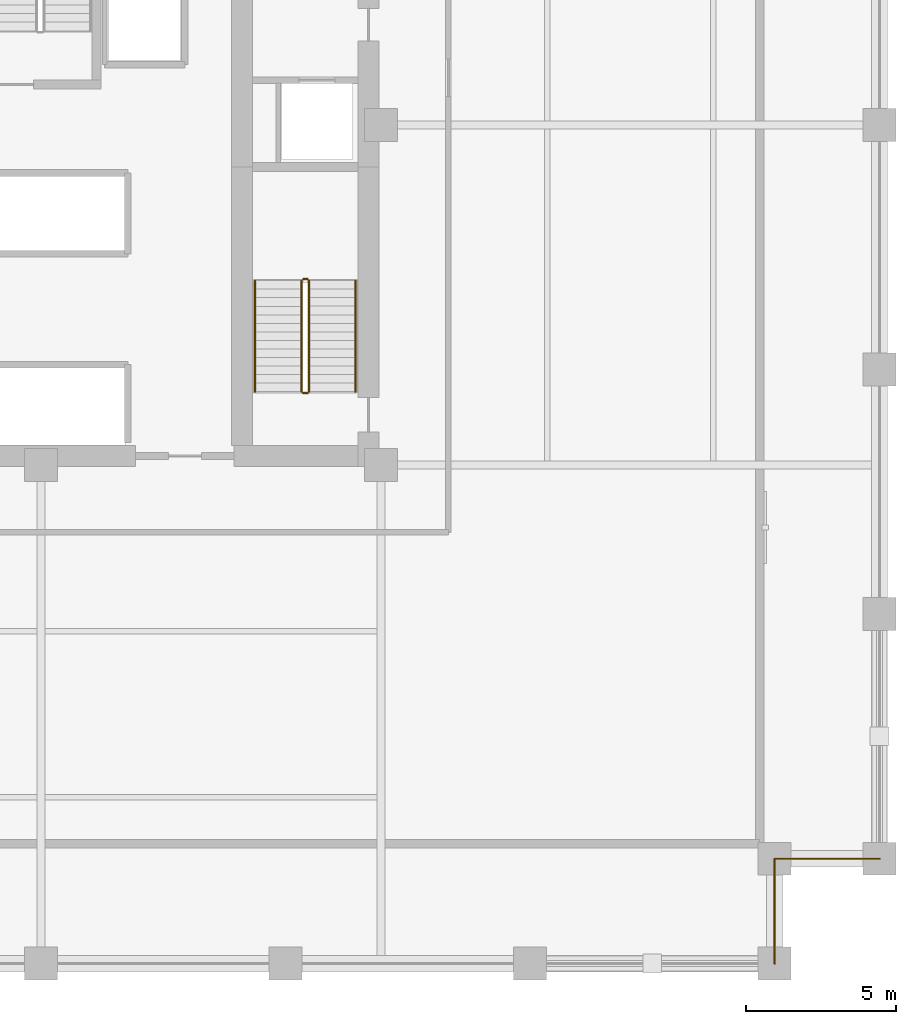
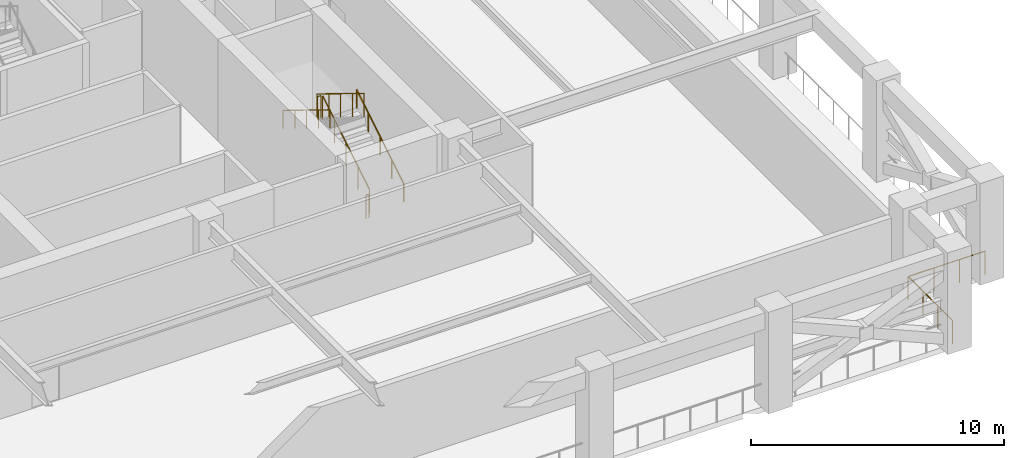
# One storey, part 8 of 11: 8 railings.
"""IFC4 building model written with IfcOpenShell, lengths in metres."""

from ifc_helpers import new_model, si_unit, direction, frame, origin, origin_2d, place, context, subcontext, project, spatial, circle, extrude, material, type_object, element, save


model = new_model("IFC4")

# Units and contexts
model_context = context("Model", 3, precision=1e-05, world=origin(), true_north=direction((0.0, 1.0)))
body_context = subcontext(model_context, "Body", "Model", "MODEL_VIEW")
ifc_project = project(units=[si_unit("LENGTHUNIT", "METRE"), si_unit("AREAUNIT", "SQUARE_METRE"), si_unit("VOLUMEUNIT", "CUBIC_METRE"), si_unit("PLANEANGLEUNIT", "RADIAN"), si_unit("MASSUNIT", "GRAM", prefix="KILO")], contexts=[model_context])

# Site, building, storey
site_placement = place(None, origin())
site = spatial("IfcSite", under=ifc_project, at=site_placement, CompositionType="ELEMENT")
building_placement = place(site_placement, origin())
building = spatial("IfcBuilding", under=site, at=building_placement, Name="Nhamokura Convention Tower", CompositionType="ELEMENT")
storey_placement = place(building_placement, frame((0.0, 0.0, 77.35009765625)))
storey = spatial("IfcBuildingStorey", under=building, at=storey_placement, Name="L18", CompositionType="ELEMENT", Elevation=77.35009765625)

# Railings
ifc_material_1 = material(Name="Anodised bronze stainless steel", Category="steel")
railing_type_1 = type_object("IfcRailingType", Name="StairWallHandrail_900", PredefinedType="HANDRAIL", material=ifc_material_1)
railing_1_placement = place(storey_placement, frame((42.5, 23.10009765625, 0.1748046875)))
element("IfcRailing", 1, at=railing_1_placement, inside=storey, type_object=railing_type_1, Name="L18 ST-02 stair handrail 1", PredefinedType="HANDRAIL", context=body_context, shape_type="SweptSolid", body=[
    extrude(circle(Radius=0.02392578125, at=origin_2d()), frame((0.0, 0.0, 0.8759765625), z_axis=(0.0, 0.852145745541, 0.523304527361), x_axis=(-1.0, 0.0, 0.0)), (0.0, 0.0, 1.0), 4.34765625),
    extrude(circle(Radius=0.02099609375, at=origin_2d()), origin(), (0.0, 0.0, 1.0), 0.851806640625),
    extrude(circle(Radius=0.02099609375, at=origin_2d()), frame((0.0, 0.92626953125, 0.56884765625)), (0.0, 0.0, 1.0), 0.851806640625),
    extrude(circle(Radius=0.02099609375, at=origin_2d()), frame((0.0, 1.8525390625, 1.1376953125)), (0.0, 0.0, 1.0), 0.851806640625),
    extrude(circle(Radius=0.02099609375, at=origin_2d()), frame((0.0, 2.778564453125, 1.706298828125)), (0.0, 0.0, 1.0), 0.851806640625),
    extrude(circle(Radius=0.02099609375, at=origin_2d()), frame((0.0, 3.704833984375, 2.275146484375)), (0.0, 0.0, 1.0), 0.851806640625),
])
railing_2_placement = place(storey_placement, frame((39.14990234375, 26.804931640625, 2.625)))
element("IfcRailing", 2, at=railing_2_placement, inside=storey, type_object=railing_type_1, Name="L18 ST-02 stair handrail 2", PredefinedType="HANDRAIL", context=body_context, shape_type="SweptSolid", body=[
    extrude(circle(Radius=0.02392578125, at=origin_2d()), frame((0.0, 0.0, 0.8759765625), z_axis=(0.0, -0.85217078641, 0.523263748782), x_axis=(1.0, 0.0, 0.0)), (0.0, 0.0, 1.0), 4.347412109375),
    extrude(circle(Radius=0.02099609375, at=origin_2d()), origin(), (0.0, 0.0, 1.0), 0.851806640625),
    extrude(circle(Radius=0.02099609375, at=origin_2d()), frame((0.0, -0.92626953125, 0.56884765625)), (0.0, 0.0, 1.0), 0.851806640625),
    extrude(circle(Radius=0.02099609375, at=origin_2d()), frame((0.0, -1.8525390625, 1.137451171875)), (0.0, 0.0, 1.0), 0.851806640625),
    extrude(circle(Radius=0.02099609375, at=origin_2d()), frame((0.0, -2.778564453125, 1.7060546875)), (0.0, 0.0, 1.0), 0.851806640625),
    extrude(circle(Radius=0.02099609375, at=origin_2d()), frame((0.0, -3.704833984375, 2.27490234375)), (0.0, 0.0, 1.0), 0.851806640625),
])
ifc_material_2 = material(Name="Painted tubular steel", Category="steel")
railing_type_2 = type_object("IfcRailingType", Name="StairWellGuardrail_1150", PredefinedType="GUARDRAIL", material=ifc_material_2)
railing_3_placement = place(storey_placement, frame((40.949951171875, 23.10009765625, 0.1748046875)))
element("IfcRailing", 3, at=railing_3_placement, inside=storey, type_object=railing_type_2, Name="L18 ST-02 stair guard 1", PredefinedType="GUARDRAIL", context=body_context, shape_type="SweptSolid", body=[
    extrude(circle(Radius=0.02392578125, at=origin_2d()), frame((0.0, 0.0, 1.1259765625), z_axis=(0.0, 0.852145745541, 0.523304527361), x_axis=(-1.0, 0.0, 0.0)), (0.0, 0.0, 1.0), 4.34765625),
    extrude(circle(Radius=0.02099609375, at=origin_2d()), origin(), (0.0, 0.0, 1.0), 1.101806640625),
    extrude(circle(Radius=0.02099609375, at=origin_2d()), frame((0.0, 0.92626953125, 0.56884765625)), (0.0, 0.0, 1.0), 1.101806640625),
    extrude(circle(Radius=0.02099609375, at=origin_2d()), frame((0.0, 1.8525390625, 1.1376953125)), (0.0, 0.0, 1.0), 1.101806640625),
    extrude(circle(Radius=0.02099609375, at=origin_2d()), frame((0.0, 2.778564453125, 1.706298828125)), (0.0, 0.0, 1.0), 1.101806640625),
    extrude(circle(Radius=0.02099609375, at=origin_2d()), frame((0.0, 3.704833984375, 2.275146484375)), (0.0, 0.0, 1.0), 1.101806640625),
])
railing_4_placement = place(storey_placement, frame((40.89990234375, 26.85498046875, 2.449951171875)))
element("IfcRailing", 4, at=railing_4_placement, inside=storey, type_object=railing_type_2, Name="L18 ST-02 stair guard 2", PredefinedType="GUARDRAIL", context=body_context, shape_type="SweptSolid", body=[
    extrude(circle(Radius=0.02392578125, at=origin_2d()), frame((0.0, 0.0, 1.1259765625), z_axis=(-1.0, 0.0, 0.0), x_axis=(0.0, -1.0, 0.0)), (0.0, 0.0, 1.0), 0.14990234375),
    extrude(circle(Radius=0.02099609375, at=origin_2d()), origin(), (0.0, 0.0, 1.0), 1.101806640625),
    extrude(circle(Radius=0.02099609375, at=origin_2d()), frame((-0.14990234375, 0.0, 0.0)), (0.0, 0.0, 1.0), 1.101806640625),
])
railing_5_placement = place(storey_placement, frame((40.699951171875, 26.804931640625, 2.625)))
element("IfcRailing", 5, at=railing_5_placement, inside=storey, type_object=railing_type_2, Name="L18 ST-02 stair guard 3", PredefinedType="GUARDRAIL", context=body_context, shape_type="SweptSolid", body=[
    extrude(circle(Radius=0.02392578125, at=origin_2d()), frame((0.0, 0.0, 1.1259765625), z_axis=(0.0, -0.85217078641, 0.523263748782), x_axis=(1.0, 0.0, 0.0)), (0.0, 0.0, 1.0), 4.347412109375),
    extrude(circle(Radius=0.02099609375, at=origin_2d()), origin(), (0.0, 0.0, 1.0), 1.101806640625),
    extrude(circle(Radius=0.02099609375, at=origin_2d()), frame((0.0, -0.92626953125, 0.56884765625)), (0.0, 0.0, 1.0), 1.101806640625),
    extrude(circle(Radius=0.02099609375, at=origin_2d()), frame((0.0, -1.8525390625, 1.137451171875)), (0.0, 0.0, 1.0), 1.101806640625),
    extrude(circle(Radius=0.02099609375, at=origin_2d()), frame((0.0, -2.778564453125, 1.7060546875)), (0.0, 0.0, 1.0), 1.101806640625),
    extrude(circle(Radius=0.02099609375, at=origin_2d()), frame((0.0, -3.704833984375, 2.27490234375)), (0.0, 0.0, 1.0), 1.101806640625),
])
railing_6_placement = place(storey_placement, frame((40.89990234375, 23.050048828125, 0.0)))
element("IfcRailing", 6, at=railing_6_placement, inside=storey, type_object=railing_type_2, Name="L18 ST-02 stair guard 4", PredefinedType="GUARDRAIL", context=body_context, shape_type="SweptSolid", body=[
    extrude(circle(Radius=0.02392578125, at=origin_2d()), frame((0.0, 0.0, 1.1259765625), z_axis=(-1.0, 0.0, 0.0), x_axis=(0.0, -1.0, 0.0)), (0.0, 0.0, 1.0), 0.14990234375),
    extrude(circle(Radius=0.02099609375, at=origin_2d()), origin(), (0.0, 0.0, 1.0), 1.101806640625),
    extrude(circle(Radius=0.02099609375, at=origin_2d()), frame((-0.14990234375, 0.0, 0.0)), (0.0, 0.0, 1.0), 1.101806640625),
])
ifc_material_3 = material(Name="Anodised bronze stainless steel", Category="steel")
railing_type_3 = type_object("IfcRailingType", Name="TerraceGuardrail_1150", PredefinedType="GUARDRAIL", material=ifc_material_3)
railing_7_placement = place(storey_placement, frame((56.5, 4.0, 0.0)))
element("IfcRailing", 7, at=railing_7_placement, inside=storey, type_object=railing_type_3, Name="L18 Perimeter Guardrail 02", PredefinedType="GUARDRAIL", context=body_context, shape_type="SweptSolid", body=[
    extrude(circle(Radius=0.02392578125, at=origin_2d()), frame((0.0, 0.0, 1.1259765625), z_axis=(0.0, 1.0, 0.0), x_axis=(-1.0, 0.0, 0.0)), (0.0, 0.0, 1.0), 3.5),
    extrude(circle(Radius=0.02099609375, at=origin_2d()), origin(), (0.0, 0.0, 1.0), 1.101806640625),
    extrude(circle(Radius=0.02099609375, at=origin_2d()), frame((0.0, 1.166748046875, 0.0)), (0.0, 0.0, 1.0), 1.101806640625),
    extrude(circle(Radius=0.02099609375, at=origin_2d()), frame((0.0, 2.333251953125, 0.0)), (0.0, 0.0, 1.0), 1.101806640625),
    extrude(circle(Radius=0.02099609375, at=origin_2d()), frame((0.0, 3.5, 0.0)), (0.0, 0.0, 1.0), 1.101806640625),
])
railing_8_placement = place(storey_placement, frame((56.5, 7.5, 0.0)))
element("IfcRailing", 8, at=railing_8_placement, inside=storey, type_object=railing_type_3, Name="L18 Perimeter Guardrail 03", PredefinedType="GUARDRAIL", context=body_context, shape_type="SweptSolid", body=[
    extrude(circle(Radius=0.02392578125, at=origin_2d()), frame((0.0, 0.0, 1.1259765625), z_axis=(1.0, 0.0, 0.0), x_axis=(0.0, 1.0, 0.0)), (0.0, 0.0, 1.0), 3.5),
    extrude(circle(Radius=0.02099609375, at=origin_2d()), origin(), (0.0, 0.0, 1.0), 1.101806640625),
    extrude(circle(Radius=0.02099609375, at=origin_2d()), frame((1.166748046875, 0.0, 0.0)), (0.0, 0.0, 1.0), 1.101806640625),
    extrude(circle(Radius=0.02099609375, at=origin_2d()), frame((2.333251953125, 0.0, 0.0)), (0.0, 0.0, 1.0), 1.101806640625),
    extrude(circle(Radius=0.02099609375, at=origin_2d()), frame((3.5, 0.0, 0.0)), (0.0, 0.0, 1.0), 1.101806640625),
])

save(model, "model.ifc")
